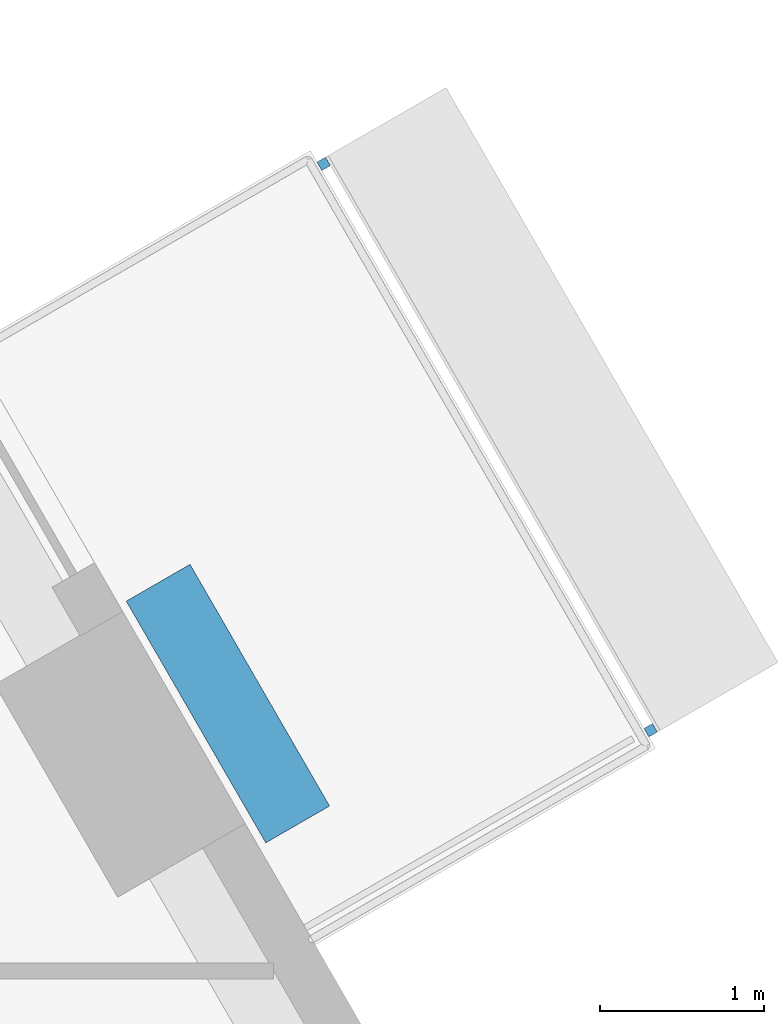
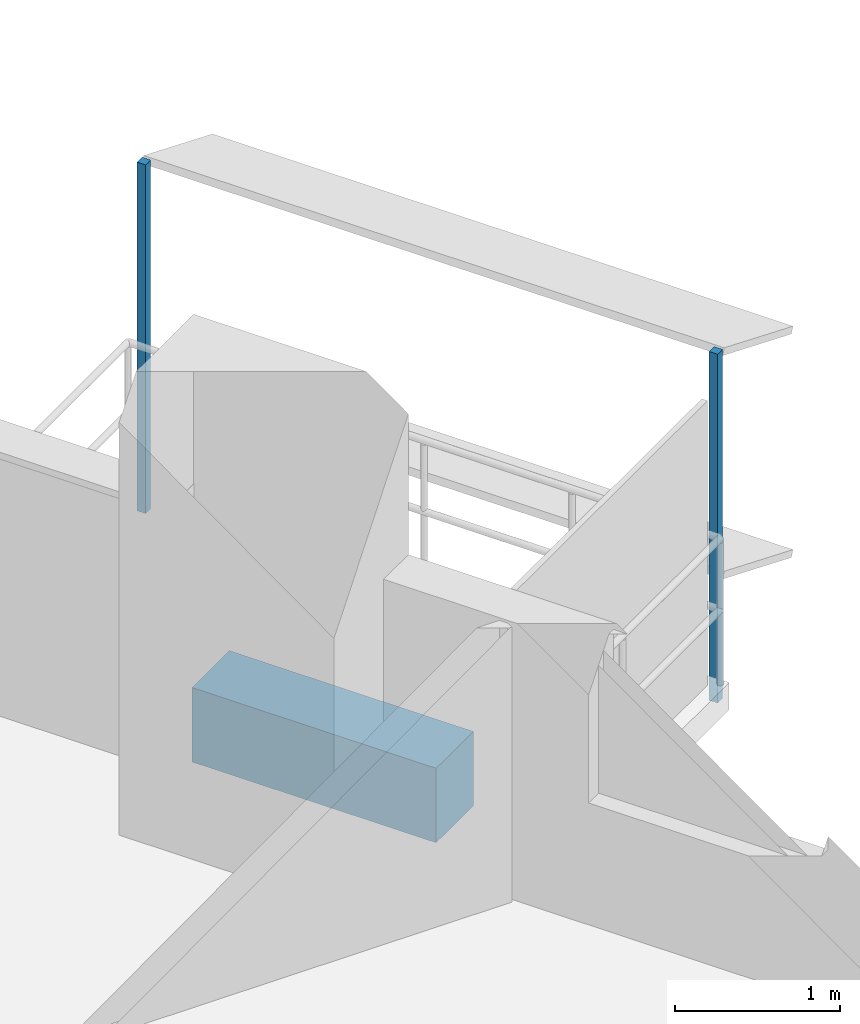
# One storey, part 10 of 13: 3 discrete accessories.
"""IFC4 building model written with IfcOpenShell, lengths in metres."""

from ifc_helpers import new_model, si_unit, direction, frame, origin, origin_2d, place, context, subcontext, project, spatial, rectangle, extrude, material, type_object, element, save


model = new_model("IFC4")

# Units and contexts
model_context = context("Model", 3, precision=1e-05, world=origin(), true_north=direction((0.0, 1.0)))
body_context = subcontext(model_context, "Body", "Model", "MODEL_VIEW")
ifc_project = project(units=[si_unit("LENGTHUNIT", "METRE"), si_unit("AREAUNIT", "SQUARE_METRE"), si_unit("VOLUMEUNIT", "CUBIC_METRE"), si_unit("PLANEANGLEUNIT", "RADIAN"), si_unit("MASSUNIT", "GRAM", prefix="KILO")], contexts=[model_context])

# Site, building, storey
site_placement = place(None, origin())
site = spatial("IfcSite", under=ifc_project, at=site_placement, CompositionType="ELEMENT")
building_placement = place(site_placement, origin())
building = spatial("IfcBuilding", under=site, at=building_placement, Name="Nakaniwa Court", CompositionType="ELEMENT")
storey_placement = place(building_placement, frame((0.0, 0.0, 67.800048828125)))
storey = spatial("IfcBuildingStorey", under=building, at=storey_placement, Name="L18", CompositionType="ELEMENT", Elevation=67.800048828125)

# Discrete accessories
ifc_material_1 = material(Name="Black powder-coated steel bracket S275", Category="steel")
discrete_accessory_type_1 = type_object("IfcDiscreteAccessoryType", Name="Black metal louvre bracket", PredefinedType="BRACKET", material=ifc_material_1)
for number, where, z_axis, x_axis, name in (
    (1, (103.550048828125, 92.0703125, -0.22998046875), (0.0, 0.0, 1.0), (-0.500004534492, 0.866022785779, 0.0), "L18 louvre bracket 01 1"),
    (2, (101.552490234375, 95.52978515625, -0.22998046875), (0.0, 0.0, 1.0), (-0.500004534492, 0.866022785779, 0.0), "L18 louvre bracket 01 2"),
):
    element("IfcDiscreteAccessory", number, at=place(storey_placement, frame(where, z_axis=z_axis, x_axis=x_axis)), inside=storey, type_object=discrete_accessory_type_1, Name=name, PredefinedType="BRACKET", context=body_context, shape_type="SweptSolid", body=[
        extrude(rectangle(XDim=0.06005859375, YDim=0.06005859375, at=origin_2d()), origin(), (0.0, 0.0, 1.0), 2.5751953125),
    ])
ifc_material_2 = material(Name="Precast concrete C40/50 planter with planted soil", Category="concrete")
discrete_accessory_type_2 = type_object("IfcDiscreteAccessoryType", Name="Planter box charcoal concrete", PredefinedType="USERDEFINED", material=ifc_material_2)
discrete_accessory_placement = place(storey_placement, frame((100.967529296875, 92.233154296875, -0.05029296875), z_axis=(0.0, 0.0, 1.0), x_axis=(-0.500004534492, 0.866022785779, 0.0)))
element("IfcDiscreteAccessory", 3, at=discrete_accessory_placement, inside=storey, type_object=discrete_accessory_type_2, Name="L18 balcony PLANTER 01", ObjectType="PLANTER", PredefinedType="USERDEFINED", context=body_context, shape_type="SweptSolid", body=[
    extrude(rectangle(XDim=1.70458984375, YDim=0.449951171875, at=origin_2d()), origin(), (0.0, 0.0, 1.0), 0.550048828125),
])

save(model, "model.ifc")
